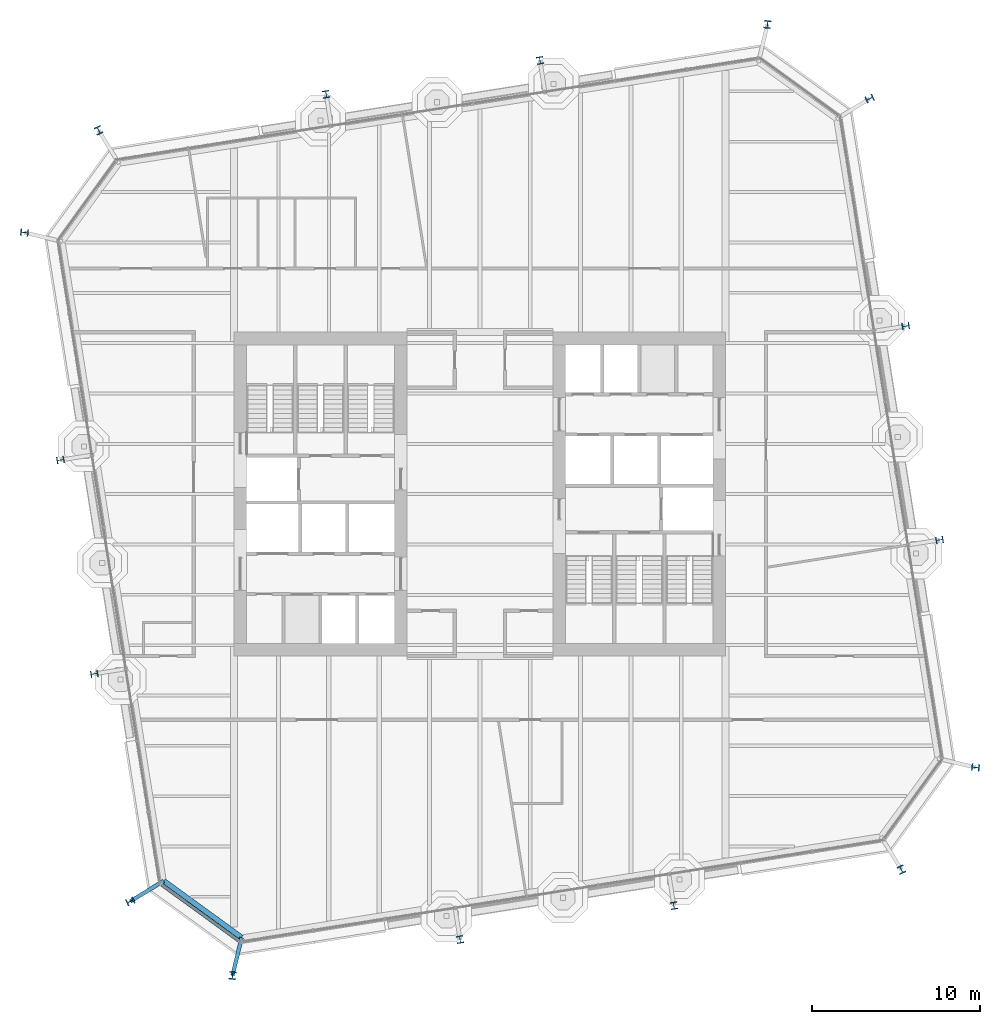
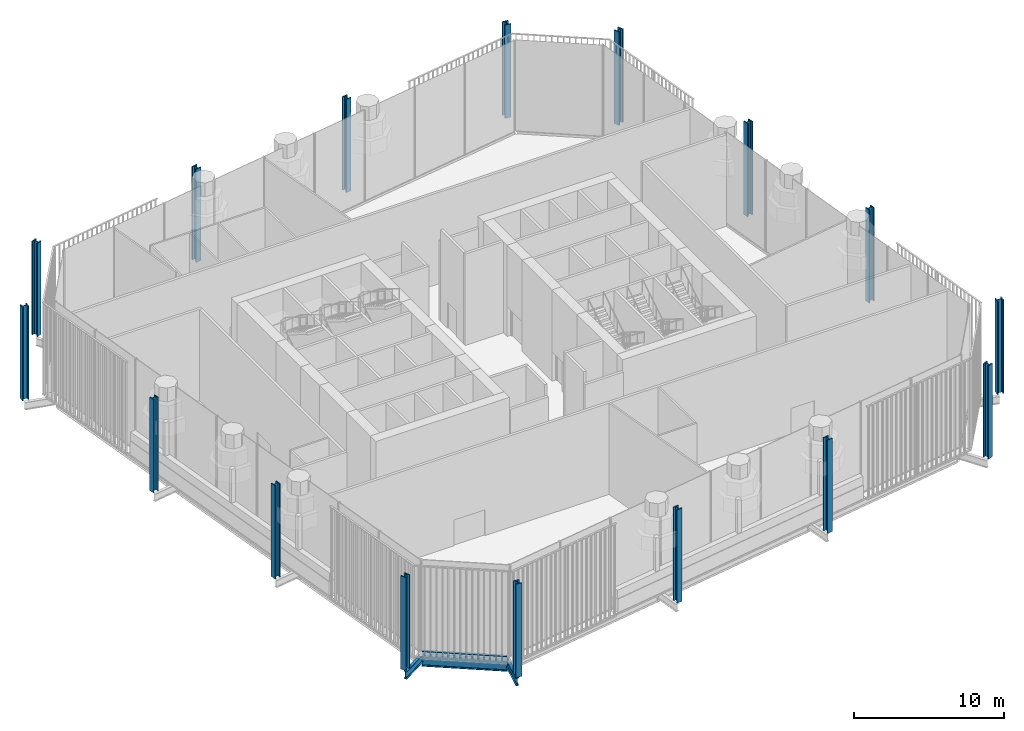
# One storey, part 1 of 19: 16 columns, 3 beams, 1 member, 1 element without a shape of its own.
"""IFC4 building model written with IfcOpenShell, lengths in metres."""

from ifc_helpers import new_model, si_unit, direction, frame, origin, origin_2d, place, context, subcontext, project, spatial, rectangle, i_section, extrude, material, layer, layer_set, material_profile, profile_set, type_object, element, aggregate, save


model = new_model("IFC4")

# Units and contexts
model_context = context("Model", 3, precision=1e-05, world=origin(), true_north=direction((0.0, 1.0)))
body_context = subcontext(model_context, "Body", "Model", "MODEL_VIEW")
ifc_project = project(units=[si_unit("LENGTHUNIT", "METRE"), si_unit("AREAUNIT", "SQUARE_METRE"), si_unit("VOLUMEUNIT", "CUBIC_METRE"), si_unit("PLANEANGLEUNIT", "RADIAN"), si_unit("MASSUNIT", "GRAM", prefix="KILO")], contexts=[model_context])

# Site, building, storey
site_placement = place(None, origin())
site = spatial("IfcSite", under=ifc_project, at=site_placement, CompositionType="ELEMENT")
building_placement = place(site_placement, origin())
building = spatial("IfcBuilding", under=site, at=building_placement, Name="Millrace Tower", CompositionType="ELEMENT")
storey_placement = place(building_placement, frame((0.0, 0.0, 172.39990234375)))
storey = spatial("IfcBuildingStorey", under=building, at=storey_placement, Name="L39", CompositionType="ELEMENT", Elevation=172.39990234375)

# Columns
ifc_material_1 = material(Name="Steel ASTM A913 Grade 65", Category="steel")
ifc_material_profile_1 = material_profile(ifc_material_1, i_section(OverallWidth=0.419189453125, OverallDepth=0.45458984375, WebThickness=0.042236328125, FlangeThickness=0.067626953125, FilletRadius=0.01513671875, at=origin_2d()))
ifc_profile_set_1 = profile_set([ifc_material_profile_1], Name="Steel ASTM A913 Grade 65")
column_type_1 = type_object("IfcColumnType", Name="Exoskeleton column W14x370", PredefinedType="COLUMN", material=ifc_profile_set_1)
for number, where, z_axis, x_axis, name in (
    (1, (-1.181396484375, -26.545166015625, 0.0), (0.0, 0.0, 1.0), (0.987688339156, 0.156434474125, 0.0), "COL-C-L39-X03"),
    (2, (11.5595703125, -24.527099609375, 0.0), (0.0, 0.0, 1.0), (0.987688338239, 0.156434479917, 0.0), "COL-C-L39-X04"),
    (3, (27.39501953125, -2.7314453125, 0.0), (0.0, 0.0, 1.0), (-0.156434474125, 0.987688339156, 0.0), "COL-C-L39-X07"),
    (4, (25.376953125, 10.009765625, 0.0), (0.0, 0.0, 1.0), (-0.156434479917, 0.987688338239, 0.0), "COL-C-L39-X08"),
    (5, (3.58154296875, 25.844970703125, 0.0), (0.0, 0.0, 1.0), (-0.987688339156, -0.156434474125, 0.0), "COL-C-L39-X11"),
    (6, (-9.15966796875, 23.8271484375, 0.0), (0.0, 0.0, 1.0), (-0.987688338239, -0.156434479917, 0.0), "COL-C-L39-X12"),
    (7, (-24.9951171875, 2.031494140625, 0.0), (0.0, 0.0, 1.0), (0.156434474125, -0.987688339156, 0.0), "COL-C-L39-X15"),
    (8, (-22.97705078125, -10.709716796875, 0.0), (0.0, 0.0, 1.0), (0.156434479917, -0.987688338239, 0.0), "COL-C-L39-X16"),
):
    element("IfcColumn", number, at=place(storey_placement, frame(where, z_axis=z_axis, x_axis=x_axis)), inside=storey, type_object=column_type_1, Name=name, PredefinedType="COLUMN", context=body_context, shape_type="SweptSolid", body=[
        extrude(i_section(OverallWidth=0.419189453125, OverallDepth=0.45458984375, WebThickness=0.042236328125, FlangeThickness=0.067626953125, FilletRadius=0.01513671875, at=origin_2d()), origin(), (0.0, 0.0, 1.0), 7.60009765625),
    ])
ifc_material_2 = material(Name="Steel ASTM A913 Grade 65", Category="steel")
ifc_material_profile_2 = material_profile(ifc_material_2, i_section(OverallWidth=0.4267578125, OverallDepth=0.482666015625, WebThickness=0.05126953125, FlangeThickness=0.08154296875, FilletRadius=0.01513671875, at=origin_2d()))
ifc_profile_set_2 = profile_set([ifc_material_profile_2], Name="Steel ASTM A913 Grade 65")
column_type_2 = type_object("IfcColumnType", Name="Exoskeleton column W14x455", PredefinedType="COLUMN", material=ifc_profile_set_2)
for number, where, z_axis, x_axis, name in (
    (9, (-20.829345703125, -24.26904296875, 0.0), (0.0, 0.0, 1.0), (0.416401106568, -0.909181015227, 0.0), "COL-C-L39-X01"),
    (10, (-14.740966796875, -28.692626953125, 0.0), (0.0, 0.0, 1.0), (0.993357548409, -0.115068592665, 0.0), "COL-C-L39-X02"),
    (11, (25.119140625, -22.37939453125, 0.0), (0.0, 0.0, 1.0), (0.909181015227, 0.416401106568, 0.0), "COL-C-L39-X05"),
    (12, (29.542724609375, -16.291015625, 0.0), (0.0, 0.0, 1.0), (0.115068592665, 0.993357548409, 0.0), "COL-C-L39-X06"),
    (13, (23.2294921875, 23.569091796875, 0.0), (0.0, 0.0, 1.0), (-0.416401106568, 0.909181015227, 0.0), "COL-C-L39-X09"),
    (14, (17.140869140625, 27.99267578125, 0.0), (0.0, 0.0, 1.0), (-0.993357548409, 0.115068592665, 0.0), "COL-C-L39-X10"),
    (15, (-22.718994140625, 21.679443359375, 0.0), (0.0, 0.0, 1.0), (-0.909181015227, -0.416401106568, 0.0), "COL-C-L39-X13"),
    (16, (-27.142578125, 15.5908203125, 0.0), (0.0, 0.0, 1.0), (-0.115068592665, -0.993357548409, 0.0), "COL-C-L39-X14"),
):
    element("IfcColumn", number, at=place(storey_placement, frame(where, z_axis=z_axis, x_axis=x_axis)), inside=storey, type_object=column_type_2, Name=name, PredefinedType="COLUMN", context=body_context, shape_type="SweptSolid", body=[
        extrude(i_section(OverallWidth=0.4267578125, OverallDepth=0.482666015625, WebThickness=0.05126953125, FlangeThickness=0.08154296875, FilletRadius=0.01513671875, at=origin_2d()), origin(), (0.0, 0.0, 1.0), 7.60009765625),
    ])

# Curtain wall, member
ifc_material_3 = material(Name="Aluminium and glass", Category="aluminium")
ifc_layer = layer(ifc_material_3, 0.199951171875)
ifc_layer_set = layer_set([ifc_layer], Name="Aluminium and glass")
curtain_wall_type = type_object("IfcCurtainWallType", Name="CW-4 sky garden winter glazing", PredefinedType="NOTDEFINED", material=ifc_layer_set)
curtain_wall_placement = place(storey_placement, origin())
curtain_wall = element("IfcCurtainWall", 17, at=curtain_wall_placement, inside=storey, type_object=curtain_wall_type, Name="Curtain wall C-F01 L39", PredefinedType="NOTDEFINED")
ifc_material_4 = material(Name="Aluminium", Category="aluminium")
ifc_material_profile_3 = material_profile(ifc_material_4, rectangle(XDim=0.199951171875, YDim=0.179931640625, at=origin_2d()))
ifc_profile_set_3 = profile_set([ifc_material_profile_3], Name="Aluminium")
member_type = type_object("IfcMemberType", Name="CW-4 sky garden winter glazing transom", PredefinedType="USERDEFINED", material=ifc_profile_set_3)
member_placement = place(storey_placement, frame((-18.96142578125, -23.277587890625, 0.090087890625), z_axis=(0.808998591139, -0.587810581339, 0.0), x_axis=(0.587810581339, 0.808998591139, 0.0)))
member = element("IfcMember", 18, at=member_placement, type_object=member_type, Name="CW4 transom C-F01.1", ObjectType="TRANSOM", PredefinedType="USERDEFINED", context=body_context, shape_type="SweptSolid", body=[
    extrude(rectangle(XDim=0.199951171875, YDim=0.179931640625, at=origin_2d()), origin(), (0.0, 0.0, 1.0), 5.6689453125),
])
aggregate(curtain_wall, [member])

# Beams
ifc_material_5 = material(Name="Steel ASTM A992 Grade 50", Category="steel")
ifc_material_profile_4 = material_profile(ifc_material_5, i_section(OverallWidth=0.23046875, OverallDepth=0.6171875, WebThickness=0.01318359375, FlangeThickness=0.022216796875, FilletRadius=0.012939453125, at=origin_2d()))
ifc_profile_set_4 = profile_set([ifc_material_profile_4], Name="Steel ASTM A992 Grade 50")
beam_type_1 = type_object("IfcBeamType", Name="Link beam W24x94", PredefinedType="BEAM", material=ifc_profile_set_4)
for number, where, z_axis, x_axis, name in (
    (19, (-18.841796875, -23.051025390625, -0.55859375), (-0.852631355792, -0.522512938711, 0.0), (0.522512938711, -0.852631355792, 0.0), "LNK-C-L39-S1-01"),
    (20, (-14.19677734375, -26.426025390625, -0.55859375), (-0.233456138164, -0.972367333652, 0.0), (0.972367333652, -0.233456138164, 0.0), "LNK-C-L39-S1-16"),
):
    element("IfcBeam", number, at=place(storey_placement, frame(where, z_axis=z_axis, x_axis=x_axis)), inside=storey, type_object=beam_type_1, Name=name, PredefinedType="BEAM", context=body_context, shape_type="SweptSolid", body=[
        extrude(i_section(OverallWidth=0.23046875, OverallDepth=0.6171875, WebThickness=0.01318359375, FlangeThickness=0.022216796875, FilletRadius=0.012939453125, at=origin_2d()), origin(), (0.0, 0.0, 1.0), 2.3310546875),
    ])
ifc_material_6 = material(Name="Steel ASTM A992 Grade 50", Category="steel")
ifc_material_profile_5 = material_profile(ifc_material_6, i_section(OverallWidth=0.307373046875, OverallDepth=0.927001953125, WebThickness=0.01953125, FlangeThickness=0.031982421875, FilletRadius=0.01904296875, at=origin_2d()))
ifc_profile_set_5 = profile_set([ifc_material_profile_5], Name="Steel ASTM A992 Grade 50")
beam_type_2 = type_object("IfcBeamType", Name="Ring beam short span W36x194", PredefinedType="SPANDREL", material=ifc_profile_set_5)
beam_placement = place(storey_placement, frame((-14.19677734375, -26.426025390625, -0.71337890625), z_axis=(-0.80900078054, 0.587807568074, 0.0), x_axis=(-0.587807568074, -0.80900078054, 0.0)))
element("IfcBeam", 21, at=beam_placement, inside=storey, type_object=beam_type_2, Name="RNG-C-L39-S1-16", PredefinedType="SPANDREL", context=body_context, shape_type="SweptSolid", body=[
    extrude(i_section(OverallWidth=0.307373046875, OverallDepth=0.927001953125, WebThickness=0.01953125, FlangeThickness=0.031982421875, FilletRadius=0.01904296875, at=origin_2d()), origin(), (0.0, 0.0, 1.0), 5.74169921875),
])

save(model, "model.ifc")
